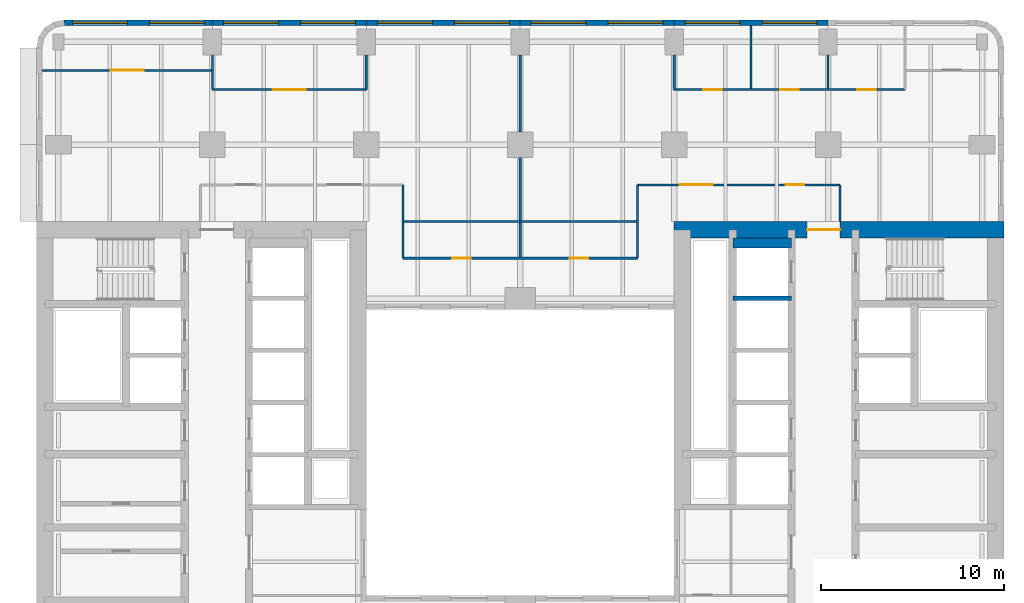
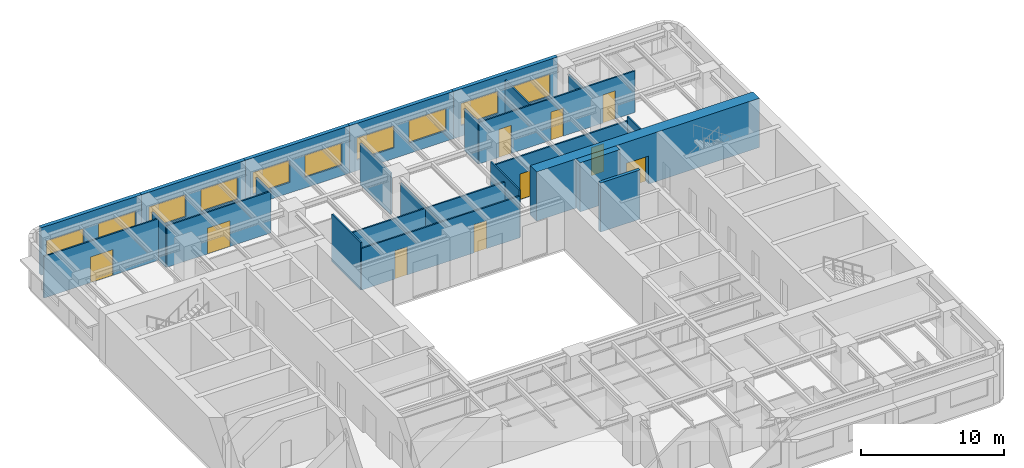
# One storey, part 7 of 11: 25 walls, 10 doors, 10 windows, 20 openings.
"""IFC4 building model written with IfcOpenShell, lengths in metres."""

from ifc_helpers import new_model, si_unit, direction, frame, frame_2d, origin, place, context, subcontext, project, spatial, rectangle, extrude, material, layer, layer_set, type_object, element, fill, save


model = new_model("IFC4")

# Units and contexts
model_context = context("Model", 3, precision=1e-05, world=origin(), true_north=direction((0.0, 1.0)))
body_context = subcontext(model_context, "Body", "Model", "MODEL_VIEW")
ifc_project = project(units=[si_unit("LENGTHUNIT", "METRE"), si_unit("AREAUNIT", "SQUARE_METRE"), si_unit("VOLUMEUNIT", "CUBIC_METRE"), si_unit("PLANEANGLEUNIT", "RADIAN"), si_unit("MASSUNIT", "GRAM", prefix="KILO")], contexts=[model_context])

# Site, building, storey
site_placement = place(None, origin())
site = spatial("IfcSite", under=ifc_project, at=site_placement, CompositionType="ELEMENT")
building_placement = place(site_placement, origin())
building = spatial("IfcBuilding", under=site, at=building_placement, Name="Claustro Exchange Tower", CompositionType="ELEMENT")
storey_placement = place(building_placement, frame((0.0, 0.0, 138.60009765625)))
storey = spatial("IfcBuildingStorey", under=building, at=storey_placement, Name="L31", CompositionType="ELEMENT", Elevation=138.60009765625)

# Wall, opening, door
ifc_material_1 = material(Name="Laminated glass in aluminium frame", Category="aluminium")
ifc_layer_1 = layer(ifc_material_1, 0.1201171875)
ifc_layer_set_1 = layer_set([ifc_layer_1], Name="Laminated glass in aluminium frame")
wall_type_1 = type_object("IfcWallType", Name="P2 120 glazed partition", PredefinedType="PARTITIONING", material=ifc_layer_set_1)
wall_1_placement = place(storey_placement, frame((-0.902099609375, 46.050048828125, 0.0), z_axis=(0.0, 0.0, 1.0), x_axis=(1.0, 0.0, 0.0)))
wall_1 = element("IfcWall", 1, at=wall_1_placement, inside=storey, type_object=wall_type_1, Name="Partition P2 L31", PredefinedType="PARTITIONING", context=body_context, shape_type="SweptSolid", body=[
    extrude(rectangle(XDim=9.244140625, YDim=0.1201171875, at=frame_2d((4.6220703125, 0.0))), origin(), (0.0, 0.0, 1.0), 3.5498046875),
])
opening_1_placement = place(wall_1_placement, frame((3.751953125, 0.0, 0.0)))
opening_1 = element("IfcOpeningElement", 2, at=opening_1_placement, cuts=wall_1, Name="Opening D2", PredefinedType="OPENING", context=body_context, shape_type="SweptSolid", body=[
    extrude(rectangle(XDim=1.800048828125, YDim=2.199951171875, at=frame_2d((0.89990234375, 1.10009765625))), frame((0.0, 0.070068359375, 0.0), z_axis=(0.0, -1.0, 0.0), x_axis=(1.0, 0.0, 0.0)), (0.0, 0.0, 1.0), 0.14013671875),
])
ifc_material_2 = material(Name="Timber door, oak veneer", Category="wood")
door_type_1 = type_object("IfcDoorType", Name="D2 1800 x 2200 double door", OperationType="DOUBLE_DOOR_SINGLE_SWING", PredefinedType="DOOR", material=ifc_material_2)
door_1_placement = place(opening_1_placement, origin())
door_1 = element("IfcDoor", 3, at=door_1_placement, inside=storey, type_object=door_type_1, Name="Double door D2 L31", OperationType="DOUBLE_DOOR_SINGLE_SWING", OverallHeight=2.199951171875, OverallWidth=1.800048828125, PredefinedType="DOOR", context=body_context, shape_type="SweptSolid", body=[
    extrude(rectangle(XDim=1.800048828125, YDim=2.199951171875, at=frame_2d((0.89990234375, 1.10009765625))), frame((0.0, 0.02490234375, 0.0), z_axis=(0.0, -1.0, 0.0), x_axis=(1.0, 0.0, 0.0)), (0.0, 0.0, 1.0), 0.050048828125),
])
fill(opening_1, door_1)

wall_2_placement = place(storey_placement, frame((8.39990234375, 45.0, 0.0), z_axis=(0.0, 0.0, 1.0), x_axis=(1.0, 0.0, 0.0)))
wall_2 = element("IfcWall", 4, at=wall_2_placement, inside=storey, type_object=wall_type_1, Name="Partition P2 L31", PredefinedType="PARTITIONING", context=body_context, shape_type="SweptSolid", body=[
    extrude(rectangle(XDim=8.400146484375, YDim=0.1201171875, at=frame_2d((4.2001953125, 0.0))), origin(), (0.0, 0.0, 1.0), 3.5498046875),
])
opening_2_placement = place(wall_2_placement, frame((3.300048828125, 0.0, 0.0)))
opening_2 = element("IfcOpeningElement", 5, at=opening_2_placement, cuts=wall_2, Name="Opening D2", PredefinedType="OPENING", context=body_context, shape_type="SweptSolid", body=[
    extrude(rectangle(XDim=1.800048828125, YDim=2.199951171875, at=frame_2d((0.89990234375, 1.10009765625))), frame((0.0, 0.070068359375, 0.0), z_axis=(0.0, -1.0, 0.0), x_axis=(1.0, 0.0, 0.0)), (0.0, 0.0, 1.0), 0.14013671875),
])
door_2_placement = place(opening_2_placement, origin())
door_2 = element("IfcDoor", 6, at=door_2_placement, inside=storey, type_object=door_type_1, Name="Double door D2 L31", OperationType="DOUBLE_DOOR_SINGLE_SWING", OverallHeight=2.199951171875, OverallWidth=1.800048828125, PredefinedType="DOOR", context=body_context, shape_type="SweptSolid", body=[
    extrude(rectangle(XDim=1.800048828125, YDim=2.199951171875, at=frame_2d((0.89990234375, 1.10009765625))), frame((0.0, 0.02490234375, 0.0), z_axis=(0.0, -1.0, 0.0), x_axis=(1.0, 0.0, 0.0)), (0.0, 0.0, 1.0), 0.050048828125),
])
fill(opening_2, door_2)

# Walls
for number, where, z_axis, x_axis, name in (
    (7, (8.39990234375, 45.0, 0.0), (0.0, 0.0, 1.0), (0.0, 1.0, 0.0), "Partition P2 L31"),
    (8, (16.800048828125, 45.0, 0.0), (0.0, 0.0, 1.0), (0.0, 1.0, 0.0), "Partition P2 L31"),
):
    element("IfcWall", number, at=place(storey_placement, frame(where, z_axis=z_axis, x_axis=x_axis)), inside=storey, type_object=wall_type_1, Name=name, PredefinedType="PARTITIONING", context=body_context, shape_type="SweptSolid", body=[
        extrude(rectangle(XDim=1.90087890625, YDim=0.1201171875, at=frame_2d((0.950439453125, 0.0))), origin(), (0.0, 0.0, 1.0), 3.5498046875),
    ])

# Wall, openings, doors
wall_3_placement = place(storey_placement, frame((33.60009765625, 45.0, 0.0), z_axis=(0.0, 0.0, 1.0), x_axis=(1.0, 0.0, 0.0)))
wall_3 = element("IfcWall", 9, at=wall_3_placement, inside=storey, type_object=wall_type_1, Name="Partition P2 L31", PredefinedType="PARTITIONING", context=body_context, shape_type="SweptSolid", body=[
    extrude(rectangle(XDim=12.599853515625, YDim=0.1201171875, at=frame_2d((6.2998046875, 0.0))), origin(), (0.0, 0.0, 1.0), 3.5498046875),
])
opening_3_placement = place(wall_3_placement, frame((1.60009765625, 0.0, 0.0)))
opening_3 = element("IfcOpeningElement", 10, at=opening_3_placement, cuts=wall_3, Name="Opening D7", PredefinedType="OPENING", context=body_context, shape_type="SweptSolid", body=[
    extrude(rectangle(XDim=1.0, YDim=2.39990234375, at=frame_2d((0.5, 1.199951171875))), frame((0.0, 0.070068359375, 0.0), z_axis=(0.0, -1.0, 0.0), x_axis=(1.0, 0.0, 0.0)), (0.0, 0.0, 1.0), 0.14013671875),
])
opening_4_placement = place(wall_3_placement, frame((5.800048828125, 0.0, 0.0)))
opening_4 = element("IfcOpeningElement", 11, at=opening_4_placement, cuts=wall_3, Name="Opening D7", PredefinedType="OPENING", context=body_context, shape_type="SweptSolid", body=[
    extrude(rectangle(XDim=1.0, YDim=2.39990234375, at=frame_2d((0.5, 1.199951171875))), frame((0.0, 0.070068359375, 0.0), z_axis=(0.0, -1.0, 0.0), x_axis=(1.0, 0.0, 0.0)), (0.0, 0.0, 1.0), 0.14013671875),
])
opening_5_placement = place(wall_3_placement, frame((10.0, 0.0, 0.0)))
opening_5 = element("IfcOpeningElement", 12, at=opening_5_placement, cuts=wall_3, Name="Opening D7", PredefinedType="OPENING", context=body_context, shape_type="SweptSolid", body=[
    extrude(rectangle(XDim=1.0, YDim=2.39990234375, at=frame_2d((0.5, 1.199951171875))), frame((0.0, 0.070068359375, 0.0), z_axis=(0.0, -1.0, 0.0), x_axis=(1.0, 0.0, 0.0)), (0.0, 0.0, 1.0), 0.14013671875),
])
ifc_material_3 = material(Name="Glass door in aluminium frame", Category="aluminium")
door_type_2 = type_object("IfcDoorType", Name="D7 1000 x 2400 glazed door", OperationType="SINGLE_SWING_LEFT", PredefinedType="DOOR", material=ifc_material_3)
door_3_placement = place(opening_3_placement, origin())
door_3 = element("IfcDoor", 13, at=door_3_placement, inside=storey, type_object=door_type_2, Name="Door D7 L31", OperationType="SINGLE_SWING_RIGHT", OverallHeight=2.39990234375, OverallWidth=1.0, PredefinedType="DOOR", context=body_context, shape_type="SweptSolid", body=[
    extrude(rectangle(XDim=1.0, YDim=2.39990234375, at=frame_2d((0.5, 1.199951171875))), frame((0.0, 0.02490234375, 0.0), z_axis=(0.0, -1.0, 0.0), x_axis=(1.0, 0.0, 0.0)), (0.0, 0.0, 1.0), 0.050048828125),
])
fill(opening_3, door_3)
door_4_placement = place(opening_4_placement, origin())
door_4 = element("IfcDoor", 14, at=door_4_placement, inside=storey, type_object=door_type_2, Name="Door D7 L31", OperationType="SINGLE_SWING_RIGHT", OverallHeight=2.39990234375, OverallWidth=1.0, PredefinedType="DOOR", context=body_context, shape_type="SweptSolid", body=[
    extrude(rectangle(XDim=1.0, YDim=2.39990234375, at=frame_2d((0.5, 1.199951171875))), frame((0.0, 0.02490234375, 0.0), z_axis=(0.0, -1.0, 0.0), x_axis=(1.0, 0.0, 0.0)), (0.0, 0.0, 1.0), 0.050048828125),
])
fill(opening_4, door_4)
door_5_placement = place(opening_5_placement, origin())
door_5 = element("IfcDoor", 15, at=door_5_placement, inside=storey, type_object=door_type_2, Name="Door D7 L31", OperationType="SINGLE_SWING_LEFT", OverallHeight=2.39990234375, OverallWidth=1.0, PredefinedType="DOOR", context=body_context, shape_type="SweptSolid", body=[
    extrude(rectangle(XDim=1.0, YDim=2.39990234375, at=frame_2d((0.5, 1.199951171875))), frame((0.0, 0.02490234375, 0.0), z_axis=(0.0, -1.0, 0.0), x_axis=(1.0, 0.0, 0.0)), (0.0, 0.0, 1.0), 0.050048828125),
])
fill(opening_5, door_5)

# Walls
wall_4_placement = place(storey_placement, frame((33.60009765625, 45.0, 0.0), z_axis=(0.0, 0.0, 1.0), x_axis=(0.0, 1.0, 0.0)))
element("IfcWall", 16, at=wall_4_placement, inside=storey, type_object=wall_type_1, Name="Partition P2 L31", PredefinedType="PARTITIONING", context=body_context, shape_type="SweptSolid", body=[
    extrude(rectangle(XDim=1.90087890625, YDim=0.1201171875, at=frame_2d((0.950439453125, 0.0))), origin(), (0.0, 0.0, 1.0), 3.5498046875),
])
wall_5_placement = place(storey_placement, frame((37.800048828125, 45.05810546875, 0.0), z_axis=(0.0, 0.0, 1.0), x_axis=(0.0, 1.0, 0.0)))
element("IfcWall", 17, at=wall_5_placement, inside=storey, type_object=wall_type_1, Name="Partition P2 L31", PredefinedType="PARTITIONING", context=body_context, shape_type="SweptSolid", body=[
    extrude(rectangle(XDim=3.44384765625, YDim=0.1201171875, at=frame_2d((1.721923828125, 0.0))), origin(), (0.0, 0.0, 1.0), 3.559814453125),
])
wall_6_placement = place(storey_placement, frame((42.0, 45.05810546875, 0.0), z_axis=(0.0, 0.0, 1.0), x_axis=(0.0, 1.0, 0.0)))
element("IfcWall", 18, at=wall_6_placement, inside=storey, type_object=wall_type_1, Name="Partition P2 L31", PredefinedType="PARTITIONING", context=body_context, shape_type="SweptSolid", body=[
    extrude(rectangle(XDim=1.8427734375, YDim=0.1201171875, at=frame_2d((0.92138671875, 0.0))), origin(), (0.0, 0.0, 1.0), 3.5498046875),
])
wall_7_placement = place(storey_placement, frame((25.199951171875, 37.85791015625, 0.0), z_axis=(0.0, 0.0, 1.0), x_axis=(0.0, 1.0, 0.0)))
element("IfcWall", 19, at=wall_7_placement, inside=storey, type_object=wall_type_1, Name="Partition P2 L31", PredefinedType="PARTITIONING", context=body_context, shape_type="SweptSolid", body=[
    extrude(rectangle(XDim=3.443115234375, YDim=0.1201171875, at=frame_2d((1.7216796875, 0.0))), origin(), (0.0, 0.0, 1.0), 3.5498046875),
])
wall_8_placement = place(storey_placement, frame((25.199951171875, 42.698974609375, 0.0), z_axis=(0.0, 0.0, 1.0), x_axis=(0.0, 1.0, 0.0)))
element("IfcWall", 20, at=wall_8_placement, inside=storey, type_object=wall_type_1, Name="Partition P2 L31", PredefinedType="PARTITIONING", context=body_context, shape_type="SweptSolid", body=[
    extrude(rectangle(XDim=4.201904296875, YDim=0.1201171875, at=frame_2d((2.10107421875, 0.0))), origin(), (0.0, 0.0, 1.0), 3.5498046875),
])

# Wall, openings, doors
wall_9_placement = place(storey_placement, frame((31.60009765625, 39.800048828125, 0.0), z_axis=(0.0, 0.0, 1.0), x_axis=(1.0, 0.0, 0.0)))
wall_9 = element("IfcWall", 21, at=wall_9_placement, inside=storey, type_object=wall_type_1, Name="Partition P2 L31", PredefinedType="PARTITIONING", context=body_context, shape_type="SweptSolid", body=[
    extrude(rectangle(XDim=11.0498046875, YDim=0.1201171875, at=frame_2d((5.52490234375, 0.0))), origin(), (0.0, 0.0, 1.0), 3.68994140625),
])
opening_6_placement = place(wall_9_placement, frame((2.300048828125, 0.0, 0.0)))
opening_6 = element("IfcOpeningElement", 22, at=opening_6_placement, cuts=wall_9, Name="Opening D2", PredefinedType="OPENING", context=body_context, shape_type="SweptSolid", body=[
    extrude(rectangle(XDim=1.800048828125, YDim=2.199951171875, at=frame_2d((0.89990234375, 1.10009765625))), frame((0.0, 0.070068359375, 0.0), z_axis=(0.0, -1.0, 0.0), x_axis=(1.0, 0.0, 0.0)), (0.0, 0.0, 1.0), 0.14013671875),
])
opening_7_placement = place(wall_9_placement, frame((8.10009765625, 0.0, 0.0)))
opening_7 = element("IfcOpeningElement", 23, at=opening_7_placement, cuts=wall_9, Name="Opening D7", PredefinedType="OPENING", context=body_context, shape_type="SweptSolid", body=[
    extrude(rectangle(XDim=1.0, YDim=2.39990234375, at=frame_2d((0.5, 1.199951171875))), frame((0.0, 0.070068359375, 0.0), z_axis=(0.0, -1.0, 0.0), x_axis=(1.0, 0.0, 0.0)), (0.0, 0.0, 1.0), 0.14013671875),
])
door_6_placement = place(opening_6_placement, origin())
door_6 = element("IfcDoor", 24, at=door_6_placement, inside=storey, type_object=door_type_1, Name="Double door D2 L31", OperationType="DOUBLE_DOOR_SINGLE_SWING", OverallHeight=2.199951171875, OverallWidth=1.800048828125, PredefinedType="DOOR", context=body_context, shape_type="SweptSolid", body=[
    extrude(rectangle(XDim=1.800048828125, YDim=2.199951171875, at=frame_2d((0.89990234375, 1.10009765625))), frame((0.0, 0.02490234375, 0.0), z_axis=(0.0, -1.0, 0.0), x_axis=(1.0, 0.0, 0.0)), (0.0, 0.0, 1.0), 0.050048828125),
])
fill(opening_6, door_6)
door_7_placement = place(opening_7_placement, origin())
door_7 = element("IfcDoor", 25, at=door_7_placement, inside=storey, type_object=door_type_2, Name="Door D7 L31", OperationType="SINGLE_SWING_RIGHT", OverallHeight=2.39990234375, OverallWidth=1.0, PredefinedType="DOOR", context=body_context, shape_type="SweptSolid", body=[
    extrude(rectangle(XDim=1.0, YDim=2.39990234375, at=frame_2d((0.5, 1.199951171875))), frame((0.0, 0.02490234375, 0.0), z_axis=(0.0, -1.0, 0.0), x_axis=(1.0, 0.0, 0.0)), (0.0, 0.0, 1.0), 0.050048828125),
])
fill(opening_7, door_7)

# Walls
wall_10_placement = place(storey_placement, frame((42.64990234375, 37.800048828125, 0.0), z_axis=(0.0, 0.0, 1.0), x_axis=(0.0, 1.0, 0.0)))
element("IfcWall", 26, at=wall_10_placement, inside=storey, type_object=wall_type_1, Name="Partition P2 L31", PredefinedType="PARTITIONING", context=body_context, shape_type="SweptSolid", body=[
    extrude(rectangle(XDim=2.0, YDim=0.1201171875, at=frame_2d((1.0, 0.0))), origin(), (0.0, 0.0, 1.0), 4.0498046875),
])
for number, where, z_axis, x_axis, name in (
    (27, (18.800048828125, 35.800048828125, 0.0), (0.0, 0.0, 1.0), (0.0, 1.0, 0.0), "Partition P2 L31"),
    (28, (31.60009765625, 35.800048828125, 0.0), (0.0, 0.0, 1.0), (0.0, 1.0, 0.0), "Partition P2 L31"),
):
    element("IfcWall", number, at=place(storey_placement, frame(where, z_axis=z_axis, x_axis=x_axis)), inside=storey, type_object=wall_type_1, Name=name, PredefinedType="PARTITIONING", context=body_context, shape_type="SweptSolid", body=[
        extrude(rectangle(XDim=4.0, YDim=0.1201171875, at=frame_2d((2.0, 0.0))), origin(), (0.0, 0.0, 1.0), 4.0498046875),
    ])
wall_11_placement = place(storey_placement, frame((25.199951171875, 35.85791015625, 0.0), z_axis=(0.0, 0.0, 1.0), x_axis=(0.0, 1.0, 0.0)))
element("IfcWall", 29, at=wall_11_placement, inside=storey, type_object=wall_type_1, Name="Partition P2 L31", PredefinedType="PARTITIONING", context=body_context, shape_type="SweptSolid", body=[
    extrude(rectangle(XDim=1.884033203125, YDim=0.1201171875, at=frame_2d((0.94189453125, 0.0))), origin(), (0.0, 0.0, 1.0), 3.5498046875),
])

# Wall, openings, doors
wall_12_placement = place(storey_placement, frame((18.800048828125, 35.800048828125, 0.0), z_axis=(0.0, 0.0, 1.0), x_axis=(1.0, 0.0, 0.0)))
wall_12 = element("IfcWall", 30, at=wall_12_placement, inside=storey, type_object=wall_type_1, Name="Partition P2 L31", PredefinedType="PARTITIONING", context=body_context, shape_type="SweptSolid", body=[
    extrude(rectangle(XDim=12.800048828125, YDim=0.1201171875, at=frame_2d((6.39990234375, 0.0))), origin(), (0.0, 0.0, 1.0), 3.5498046875),
])
opening_8_placement = place(wall_12_placement, frame((2.699951171875, 0.0, 0.0)))
opening_8 = element("IfcOpeningElement", 31, at=opening_8_placement, cuts=wall_12, Name="Opening D7", PredefinedType="OPENING", context=body_context, shape_type="SweptSolid", body=[
    extrude(rectangle(XDim=1.0, YDim=2.39990234375, at=frame_2d((0.5, 1.199951171875))), frame((0.0, 0.070068359375, 0.0), z_axis=(0.0, -1.0, 0.0), x_axis=(1.0, 0.0, 0.0)), (0.0, 0.0, 1.0), 0.14013671875),
])
opening_9_placement = place(wall_12_placement, frame((9.10009765625, 0.0, 0.0)))
opening_9 = element("IfcOpeningElement", 32, at=opening_9_placement, cuts=wall_12, Name="Opening D7", PredefinedType="OPENING", context=body_context, shape_type="SweptSolid", body=[
    extrude(rectangle(XDim=1.0, YDim=2.39990234375, at=frame_2d((0.5, 1.199951171875))), frame((0.0, 0.070068359375, 0.0), z_axis=(0.0, -1.0, 0.0), x_axis=(1.0, 0.0, 0.0)), (0.0, 0.0, 1.0), 0.14013671875),
])
door_8_placement = place(opening_8_placement, origin())
door_8 = element("IfcDoor", 33, at=door_8_placement, inside=storey, type_object=door_type_2, Name="Door D7 L31", OperationType="SINGLE_SWING_RIGHT", OverallHeight=2.39990234375, OverallWidth=1.0, PredefinedType="DOOR", context=body_context, shape_type="SweptSolid", body=[
    extrude(rectangle(XDim=1.0, YDim=2.39990234375, at=frame_2d((0.5, 1.199951171875))), frame((0.0, 0.02490234375, 0.0), z_axis=(0.0, -1.0, 0.0), x_axis=(1.0, 0.0, 0.0)), (0.0, 0.0, 1.0), 0.050048828125),
])
fill(opening_8, door_8)
door_9_placement = place(opening_9_placement, origin())
door_9 = element("IfcDoor", 34, at=door_9_placement, inside=storey, type_object=door_type_2, Name="Door D7 L31", OperationType="SINGLE_SWING_LEFT", OverallHeight=2.39990234375, OverallWidth=1.0, PredefinedType="DOOR", context=body_context, shape_type="SweptSolid", body=[
    extrude(rectangle(XDim=1.0, YDim=2.39990234375, at=frame_2d((0.5, 1.199951171875))), frame((0.0, 0.02490234375, 0.0), z_axis=(0.0, -1.0, 0.0), x_axis=(1.0, 0.0, 0.0)), (0.0, 0.0, 1.0), 0.050048828125),
])
fill(opening_9, door_9)

# Wall
wall_13_placement = place(storey_placement, frame((18.85791015625, 37.800048828125, 0.0), z_axis=(0.0, 0.0, 1.0), x_axis=(1.0, 0.0, 0.0)))
element("IfcWall", 35, at=wall_13_placement, inside=storey, type_object=wall_type_1, Name="Partition P2 L31", PredefinedType="PARTITIONING", context=body_context, shape_type="SweptSolid", body=[
    extrude(rectangle(XDim=12.68408203125, YDim=0.1201171875, at=frame_2d((6.342041015625, 0.0))), origin(), (0.0, 0.0, 1.0), 3.5498046875),
])

# Wall, openings, windows
ifc_material_4 = material(Name="Concrete HA-40 (C40/50), precast, white cement, acid-etched", Category="concrete")
ifc_layer_2 = layer(ifc_material_4, 0.300048828125)
ifc_layer_set_2 = layer_set([ifc_layer_2], Name="Concrete HA-40 (C40/50), precast, white cement, acid-etched")
wall_type_2 = type_object("IfcWallType", Name="PC1 300 precast concrete pier panel", PredefinedType="SOLIDWALL", material=ifc_layer_set_2)
wall_14_placement = place(storey_placement, frame((0.314697265625, 48.64990234375, 0.0), z_axis=(0.0, 0.0, 1.0), x_axis=(1.0, 0.0, 0.0)))
wall_14 = element("IfcWall", 36, at=wall_14_placement, inside=storey, type_object=wall_type_2, Name="Precast pier panel PC1 L31", PredefinedType="SOLIDWALL", context=body_context, shape_type="SweptSolid", body=[
    extrude(rectangle(XDim=8.085205078125, YDim=0.300048828125, at=frame_2d((4.04248046875, 0.0))), origin(), (0.0, 0.0, 1.0), 4.0498046875),
])
opening_10_placement = place(wall_14_placement, frame((0.442626953125, 0.0, 0.89990234375)))
opening_10 = element("IfcOpeningElement", 37, at=opening_10_placement, cuts=wall_14, Name="Opening W1", PredefinedType="OPENING", context=body_context, shape_type="SweptSolid", body=[
    extrude(rectangle(XDim=3.0, YDim=1.89990234375, at=frame_2d((1.5, 0.949951171875))), frame((0.0, 0.159912109375, 0.0), z_axis=(0.0, -1.0, 0.0), x_axis=(1.0, 0.0, 0.0)), (0.0, 0.0, 1.0), 0.320068359375),
])
opening_11_placement = place(wall_14_placement, frame((4.642578125, 0.0, 0.89990234375)))
opening_11 = element("IfcOpeningElement", 38, at=opening_11_placement, cuts=wall_14, Name="Opening W1", PredefinedType="OPENING", context=body_context, shape_type="SweptSolid", body=[
    extrude(rectangle(XDim=3.0, YDim=1.89990234375, at=frame_2d((1.5, 0.949951171875))), frame((0.0, 0.159912109375, 0.0), z_axis=(0.0, -1.0, 0.0), x_axis=(1.0, 0.0, 0.0)), (0.0, 0.0, 1.0), 0.320068359375),
])
ifc_material_5 = material(Name="Aluminium frame, clear double glazing", Category="aluminium")
window_type = type_object("IfcWindowType", Name="W1 3000 x 1900 window", PartitioningType="SINGLE_PANEL", PredefinedType="WINDOW", material=ifc_material_5)
window_1_placement = place(opening_10_placement, origin())
window_1 = element("IfcWindow", 39, at=window_1_placement, inside=storey, type_object=window_type, Name="Window W1 L31", OverallHeight=1.89990234375, OverallWidth=3.0, PartitioningType="SINGLE_PANEL", PredefinedType="WINDOW", context=body_context, shape_type="SweptSolid", body=[
    extrude(rectangle(XDim=3.0, YDim=1.89990234375, at=frame_2d((1.5, 0.949951171875))), frame((0.0, 0.030029296875, 0.0), z_axis=(0.0, -1.0, 0.0), x_axis=(1.0, 0.0, 0.0)), (0.0, 0.0, 1.0), 0.06005859375),
])
fill(opening_10, window_1)
window_2_placement = place(opening_11_placement, origin())
window_2 = element("IfcWindow", 40, at=window_2_placement, inside=storey, type_object=window_type, Name="Window W1 L31", OverallHeight=1.89990234375, OverallWidth=3.0, PartitioningType="SINGLE_PANEL", PredefinedType="WINDOW", context=body_context, shape_type="SweptSolid", body=[
    extrude(rectangle(XDim=3.0, YDim=1.89990234375, at=frame_2d((1.5, 0.949951171875))), frame((0.0, 0.030029296875, 0.0), z_axis=(0.0, -1.0, 0.0), x_axis=(1.0, 0.0, 0.0)), (0.0, 0.0, 1.0), 0.06005859375),
])
fill(opening_11, window_2)

wall_15_placement = place(storey_placement, frame((8.39990234375, 48.64990234375, 0.0), z_axis=(0.0, 0.0, 1.0), x_axis=(1.0, 0.0, 0.0)))
wall_15 = element("IfcWall", 41, at=wall_15_placement, inside=storey, type_object=wall_type_2, Name="Precast pier panel PC1 L31", PredefinedType="SOLIDWALL", context=body_context, shape_type="SweptSolid", body=[
    extrude(rectangle(XDim=8.400146484375, YDim=0.300048828125, at=frame_2d((4.2001953125, 0.0))), origin(), (0.0, 0.0, 1.0), 4.0498046875),
])
opening_12_placement = place(wall_15_placement, frame((0.60009765625, 0.0, 0.89990234375)))
opening_12 = element("IfcOpeningElement", 42, at=opening_12_placement, cuts=wall_15, Name="Opening W1", PredefinedType="OPENING", context=body_context, shape_type="SweptSolid", body=[
    extrude(rectangle(XDim=3.0, YDim=1.89990234375, at=frame_2d((1.5, 0.949951171875))), frame((0.0, 0.159912109375, 0.0), z_axis=(0.0, -1.0, 0.0), x_axis=(1.0, 0.0, 0.0)), (0.0, 0.0, 1.0), 0.320068359375),
])
opening_13_placement = place(wall_15_placement, frame((4.800048828125, 0.0, 0.89990234375)))
opening_13 = element("IfcOpeningElement", 43, at=opening_13_placement, cuts=wall_15, Name="Opening W1", PredefinedType="OPENING", context=body_context, shape_type="SweptSolid", body=[
    extrude(rectangle(XDim=3.0, YDim=1.89990234375, at=frame_2d((1.5, 0.949951171875))), frame((0.0, 0.159912109375, 0.0), z_axis=(0.0, -1.0, 0.0), x_axis=(1.0, 0.0, 0.0)), (0.0, 0.0, 1.0), 0.320068359375),
])
window_3_placement = place(opening_12_placement, origin())
window_3 = element("IfcWindow", 44, at=window_3_placement, inside=storey, type_object=window_type, Name="Window W1 L31", OverallHeight=1.89990234375, OverallWidth=3.0, PartitioningType="SINGLE_PANEL", PredefinedType="WINDOW", context=body_context, shape_type="SweptSolid", body=[
    extrude(rectangle(XDim=3.0, YDim=1.89990234375, at=frame_2d((1.5, 0.949951171875))), frame((0.0, 0.030029296875, 0.0), z_axis=(0.0, -1.0, 0.0), x_axis=(1.0, 0.0, 0.0)), (0.0, 0.0, 1.0), 0.06005859375),
])
fill(opening_12, window_3)
window_4_placement = place(opening_13_placement, origin())
window_4 = element("IfcWindow", 45, at=window_4_placement, inside=storey, type_object=window_type, Name="Window W1 L31", OverallHeight=1.89990234375, OverallWidth=3.0, PartitioningType="SINGLE_PANEL", PredefinedType="WINDOW", context=body_context, shape_type="SweptSolid", body=[
    extrude(rectangle(XDim=3.0, YDim=1.89990234375, at=frame_2d((1.5, 0.949951171875))), frame((0.0, 0.030029296875, 0.0), z_axis=(0.0, -1.0, 0.0), x_axis=(1.0, 0.0, 0.0)), (0.0, 0.0, 1.0), 0.06005859375),
])
fill(opening_13, window_4)

wall_16_placement = place(storey_placement, frame((16.800048828125, 48.64990234375, 0.0), z_axis=(0.0, 0.0, 1.0), x_axis=(1.0, 0.0, 0.0)))
wall_16 = element("IfcWall", 46, at=wall_16_placement, inside=storey, type_object=wall_type_2, Name="Precast pier panel PC1 L31", PredefinedType="SOLIDWALL", context=body_context, shape_type="SweptSolid", body=[
    extrude(rectangle(XDim=8.39990234375, YDim=0.300048828125, at=frame_2d((4.199951171875, 0.0))), origin(), (0.0, 0.0, 1.0), 4.0498046875),
])
opening_14_placement = place(wall_16_placement, frame((0.60009765625, 0.0, 0.89990234375)))
opening_14 = element("IfcOpeningElement", 47, at=opening_14_placement, cuts=wall_16, Name="Opening W1", PredefinedType="OPENING", context=body_context, shape_type="SweptSolid", body=[
    extrude(rectangle(XDim=3.0, YDim=1.89990234375, at=frame_2d((1.5, 0.949951171875))), frame((0.0, 0.159912109375, 0.0), z_axis=(0.0, -1.0, 0.0), x_axis=(1.0, 0.0, 0.0)), (0.0, 0.0, 1.0), 0.320068359375),
])
opening_15_placement = place(wall_16_placement, frame((4.800048828125, 0.0, 0.89990234375)))
opening_15 = element("IfcOpeningElement", 48, at=opening_15_placement, cuts=wall_16, Name="Opening W1", PredefinedType="OPENING", context=body_context, shape_type="SweptSolid", body=[
    extrude(rectangle(XDim=3.0, YDim=1.89990234375, at=frame_2d((1.5, 0.949951171875))), frame((0.0, 0.159912109375, 0.0), z_axis=(0.0, -1.0, 0.0), x_axis=(1.0, 0.0, 0.0)), (0.0, 0.0, 1.0), 0.320068359375),
])
window_5_placement = place(opening_14_placement, origin())
window_5 = element("IfcWindow", 49, at=window_5_placement, inside=storey, type_object=window_type, Name="Window W1 L31", OverallHeight=1.89990234375, OverallWidth=3.0, PartitioningType="SINGLE_PANEL", PredefinedType="WINDOW", context=body_context, shape_type="SweptSolid", body=[
    extrude(rectangle(XDim=3.0, YDim=1.89990234375, at=frame_2d((1.5, 0.949951171875))), frame((0.0, 0.030029296875, 0.0), z_axis=(0.0, -1.0, 0.0), x_axis=(1.0, 0.0, 0.0)), (0.0, 0.0, 1.0), 0.06005859375),
])
fill(opening_14, window_5)
window_6_placement = place(opening_15_placement, origin())
window_6 = element("IfcWindow", 50, at=window_6_placement, inside=storey, type_object=window_type, Name="Window W1 L31", OverallHeight=1.89990234375, OverallWidth=3.0, PartitioningType="SINGLE_PANEL", PredefinedType="WINDOW", context=body_context, shape_type="SweptSolid", body=[
    extrude(rectangle(XDim=3.0, YDim=1.89990234375, at=frame_2d((1.5, 0.949951171875))), frame((0.0, 0.030029296875, 0.0), z_axis=(0.0, -1.0, 0.0), x_axis=(1.0, 0.0, 0.0)), (0.0, 0.0, 1.0), 0.06005859375),
])
fill(opening_15, window_6)

wall_17_placement = place(storey_placement, frame((25.199951171875, 48.64990234375, 0.0), z_axis=(0.0, 0.0, 1.0), x_axis=(1.0, 0.0, 0.0)))
wall_17 = element("IfcWall", 51, at=wall_17_placement, inside=storey, type_object=wall_type_2, Name="Precast pier panel PC1 L31", PredefinedType="SOLIDWALL", context=body_context, shape_type="SweptSolid", body=[
    extrude(rectangle(XDim=8.400146484375, YDim=0.300048828125, at=frame_2d((4.2001953125, 0.0))), origin(), (0.0, 0.0, 1.0), 4.0498046875),
])
opening_16_placement = place(wall_17_placement, frame((0.60009765625, 0.0, 0.89990234375)))
opening_16 = element("IfcOpeningElement", 52, at=opening_16_placement, cuts=wall_17, Name="Opening W1", PredefinedType="OPENING", context=body_context, shape_type="SweptSolid", body=[
    extrude(rectangle(XDim=3.0, YDim=1.89990234375, at=frame_2d((1.5, 0.949951171875))), frame((0.0, 0.159912109375, 0.0), z_axis=(0.0, -1.0, 0.0), x_axis=(1.0, 0.0, 0.0)), (0.0, 0.0, 1.0), 0.320068359375),
])
opening_17_placement = place(wall_17_placement, frame((4.800048828125, 0.0, 0.89990234375)))
opening_17 = element("IfcOpeningElement", 53, at=opening_17_placement, cuts=wall_17, Name="Opening W1", PredefinedType="OPENING", context=body_context, shape_type="SweptSolid", body=[
    extrude(rectangle(XDim=3.0, YDim=1.89990234375, at=frame_2d((1.5, 0.949951171875))), frame((0.0, 0.159912109375, 0.0), z_axis=(0.0, -1.0, 0.0), x_axis=(1.0, 0.0, 0.0)), (0.0, 0.0, 1.0), 0.320068359375),
])
window_7_placement = place(opening_16_placement, origin())
window_7 = element("IfcWindow", 54, at=window_7_placement, inside=storey, type_object=window_type, Name="Window W1 L31", OverallHeight=1.89990234375, OverallWidth=3.0, PartitioningType="SINGLE_PANEL", PredefinedType="WINDOW", context=body_context, shape_type="SweptSolid", body=[
    extrude(rectangle(XDim=3.0, YDim=1.89990234375, at=frame_2d((1.5, 0.949951171875))), frame((0.0, 0.030029296875, 0.0), z_axis=(0.0, -1.0, 0.0), x_axis=(1.0, 0.0, 0.0)), (0.0, 0.0, 1.0), 0.06005859375),
])
fill(opening_16, window_7)
window_8_placement = place(opening_17_placement, origin())
window_8 = element("IfcWindow", 55, at=window_8_placement, inside=storey, type_object=window_type, Name="Window W1 L31", OverallHeight=1.89990234375, OverallWidth=3.0, PartitioningType="SINGLE_PANEL", PredefinedType="WINDOW", context=body_context, shape_type="SweptSolid", body=[
    extrude(rectangle(XDim=3.0, YDim=1.89990234375, at=frame_2d((1.5, 0.949951171875))), frame((0.0, 0.030029296875, 0.0), z_axis=(0.0, -1.0, 0.0), x_axis=(1.0, 0.0, 0.0)), (0.0, 0.0, 1.0), 0.06005859375),
])
fill(opening_17, window_8)

wall_18_placement = place(storey_placement, frame((33.60009765625, 48.64990234375, 0.0), z_axis=(0.0, 0.0, 1.0), x_axis=(1.0, 0.0, 0.0)))
wall_18 = element("IfcWall", 56, at=wall_18_placement, inside=storey, type_object=wall_type_2, Name="Precast pier panel PC1 L31", PredefinedType="SOLIDWALL", context=body_context, shape_type="SweptSolid", body=[
    extrude(rectangle(XDim=8.39990234375, YDim=0.300048828125, at=frame_2d((4.199951171875, 0.0))), origin(), (0.0, 0.0, 1.0), 4.0498046875),
])
opening_18_placement = place(wall_18_placement, frame((0.60009765625, 0.0, 0.89990234375)))
opening_18 = element("IfcOpeningElement", 57, at=opening_18_placement, cuts=wall_18, Name="Opening W1", PredefinedType="OPENING", context=body_context, shape_type="SweptSolid", body=[
    extrude(rectangle(XDim=3.0, YDim=1.89990234375, at=frame_2d((1.5, 0.949951171875))), frame((0.0, 0.159912109375, 0.0), z_axis=(0.0, -1.0, 0.0), x_axis=(1.0, 0.0, 0.0)), (0.0, 0.0, 1.0), 0.320068359375),
])
opening_19_placement = place(wall_18_placement, frame((4.800048828125, 0.0, 0.89990234375)))
opening_19 = element("IfcOpeningElement", 58, at=opening_19_placement, cuts=wall_18, Name="Opening W1", PredefinedType="OPENING", context=body_context, shape_type="SweptSolid", body=[
    extrude(rectangle(XDim=3.0, YDim=1.89990234375, at=frame_2d((1.5, 0.949951171875))), frame((0.0, 0.159912109375, 0.0), z_axis=(0.0, -1.0, 0.0), x_axis=(1.0, 0.0, 0.0)), (0.0, 0.0, 1.0), 0.320068359375),
])
window_9_placement = place(opening_18_placement, origin())
window_9 = element("IfcWindow", 59, at=window_9_placement, inside=storey, type_object=window_type, Name="Window W1 L31", OverallHeight=1.89990234375, OverallWidth=3.0, PartitioningType="SINGLE_PANEL", PredefinedType="WINDOW", context=body_context, shape_type="SweptSolid", body=[
    extrude(rectangle(XDim=3.0, YDim=1.89990234375, at=frame_2d((1.5, 0.949951171875))), frame((0.0, 0.030029296875, 0.0), z_axis=(0.0, -1.0, 0.0), x_axis=(1.0, 0.0, 0.0)), (0.0, 0.0, 1.0), 0.06005859375),
])
fill(opening_18, window_9)
window_10_placement = place(opening_19_placement, origin())
window_10 = element("IfcWindow", 60, at=window_10_placement, inside=storey, type_object=window_type, Name="Window W1 L31", OverallHeight=1.89990234375, OverallWidth=3.0, PartitioningType="SINGLE_PANEL", PredefinedType="WINDOW", context=body_context, shape_type="SweptSolid", body=[
    extrude(rectangle(XDim=3.0, YDim=1.89990234375, at=frame_2d((1.5, 0.949951171875))), frame((0.0, 0.030029296875, 0.0), z_axis=(0.0, -1.0, 0.0), x_axis=(1.0, 0.0, 0.0)), (0.0, 0.0, 1.0), 0.06005859375),
])
fill(opening_19, window_10)

# Wall, opening, door
ifc_material_6 = material(Name="Concrete HA-70 (C70/85)", Category="concrete")
ifc_layer_3 = layer(ifc_material_6, 0.89990234375)
ifc_layer_set_3 = layer_set([ifc_layer_3], Name="Concrete HA-70 (C70/85)")
wall_type_3 = type_object("IfcWallType", Name="SW1 900 core shear wall", PredefinedType="SHEAR", material=ifc_layer_set_3)
wall_19_placement = place(storey_placement, frame((33.60009765625, 37.35009765625, 0.0), z_axis=(0.0, 0.0, 1.0), x_axis=(1.0, 0.0, 0.0)))
wall_19 = element("IfcWall", 61, at=wall_19_placement, inside=storey, type_object=wall_type_3, Name="Core wall SW1 E core N face L31", PredefinedType="SHEAR", context=body_context, shape_type="SweptSolid", body=[
    extrude(rectangle(XDim=18.0, YDim=0.89990234375, at=frame_2d((9.0, 0.0))), origin(), (0.0, 0.0, 1.0), 4.199951171875),
])
opening_20_placement = place(wall_19_placement, frame((7.25, 0.0, 0.0)))
opening_20 = element("IfcOpeningElement", 62, at=opening_20_placement, cuts=wall_19, Name="Opening D3", PredefinedType="OPENING", context=body_context, shape_type="SweptSolid", body=[
    extrude(rectangle(XDim=1.800048828125, YDim=2.39990234375, at=frame_2d((0.89990234375, 1.199951171875))), frame((0.0, 0.4599609375, 0.0), z_axis=(0.0, -1.0, 0.0), x_axis=(1.0, 0.0, 0.0)), (0.0, 0.0, 1.0), 0.919921875),
])
ifc_material_7 = material(Name="Steel fire door, painted", Category="steel")
door_type_3 = type_object("IfcDoorType", Name="D3 1800 x 2400 fire-rated lobby double door", OperationType="DOUBLE_DOOR_SINGLE_SWING", PredefinedType="DOOR", material=ifc_material_7)
door_10_placement = place(opening_20_placement, frame((1.800048828125, 0.0, 0.0), z_axis=(0.0, 0.0, 1.0), x_axis=(-1.0, 0.0, 0.0)))
door_10 = element("IfcDoor", 63, at=door_10_placement, inside=storey, type_object=door_type_3, Name="Lift lobby door D3 L31", OperationType="DOUBLE_DOOR_SINGLE_SWING", OverallHeight=2.39990234375, OverallWidth=1.800048828125, PredefinedType="DOOR", context=body_context, shape_type="SweptSolid", body=[
    extrude(rectangle(XDim=1.800048828125, YDim=2.39990234375, at=frame_2d((0.89990234375, 1.199951171875))), frame((0.0, 0.02490234375, 0.0), z_axis=(0.0, -1.0, 0.0), x_axis=(1.0, 0.0, 0.0)), (0.0, 0.0, 1.0), 0.050048828125),
])
fill(opening_20, door_10)

# Walls
ifc_material_8 = material(Name="Concrete HA-50 (C50/60)", Category="concrete")
ifc_layer_4 = layer(ifc_material_8, 0.25)
ifc_layer_set_4 = layer_set([ifc_layer_4], Name="Concrete HA-50 (C50/60)")
wall_type_4 = type_object("IfcWallType", Name="SW5 250 lift shaft divider wall", PredefinedType="SHEAR", material=ifc_layer_set_4)
wall_20_placement = place(storey_placement, frame((40.0, 33.625, 0.0), z_axis=(0.0, 0.0, 1.0), x_axis=(-1.0, 0.0, 0.0)))
element("IfcWall", 64, at=wall_20_placement, inside=storey, type_object=wall_type_4, Name="Lift shaft wall E core L31", PredefinedType="SHEAR", context=body_context, shape_type="SweptSolid", body=[
    extrude(rectangle(XDim=3.199951171875, YDim=0.25, at=frame_2d((1.60009765625, 0.0))), origin(), (0.0, 0.0, 1.0), 4.199951171875),
])
ifc_material_9 = material(Name="Concrete HA-50 (C50/60)", Category="concrete")
ifc_layer_5 = layer(ifc_material_9, 0.550048828125)
ifc_layer_set_5 = layer_set([ifc_layer_5], Name="Concrete HA-50 (C50/60)")
wall_type_5 = type_object("IfcWallType", Name="SW6 550 lift shaft end wall", PredefinedType="SHEAR", material=ifc_layer_set_5)
wall_21_placement = place(storey_placement, frame((40.0, 36.625, 0.0), z_axis=(0.0, 0.0, 1.0), x_axis=(-1.0, 0.0, 0.0)))
element("IfcWall", 65, at=wall_21_placement, inside=storey, type_object=wall_type_5, Name="Lift shaft wall E core L31", PredefinedType="SHEAR", context=body_context, shape_type="SweptSolid", body=[
    extrude(rectangle(XDim=3.199951171875, YDim=0.550048828125, at=frame_2d((1.60009765625, 0.0))), origin(), (0.0, 0.0, 1.0), 4.199951171875),
])

save(model, "model.ifc")
